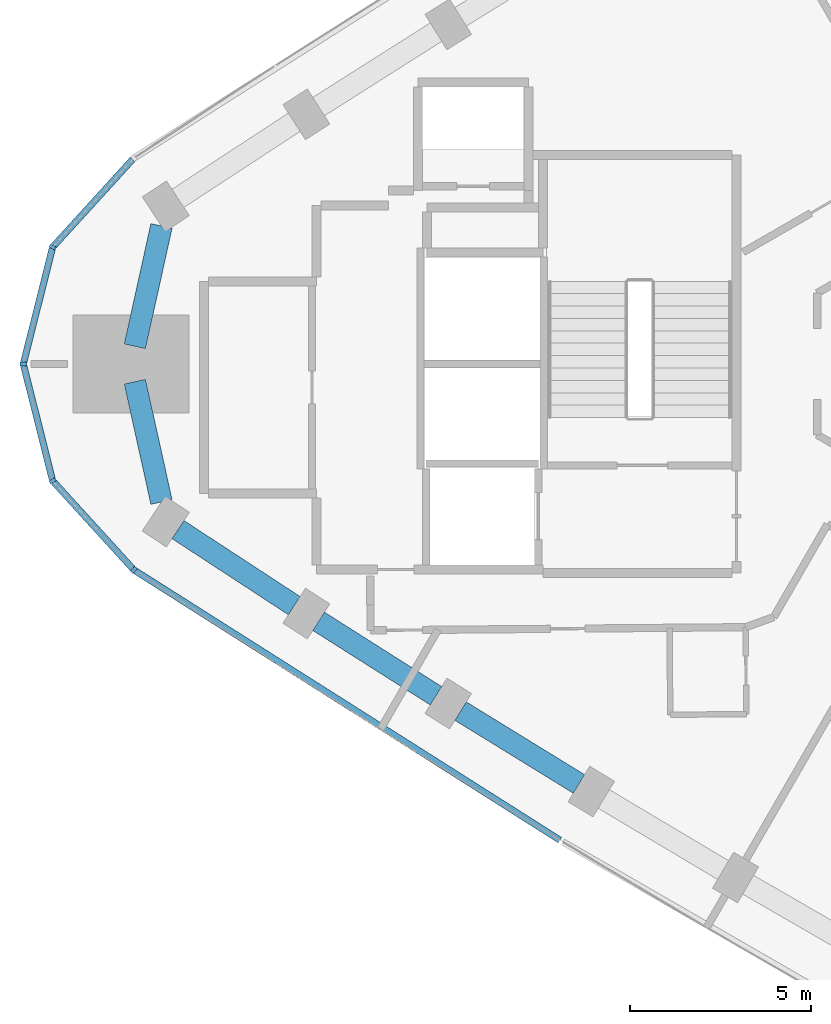
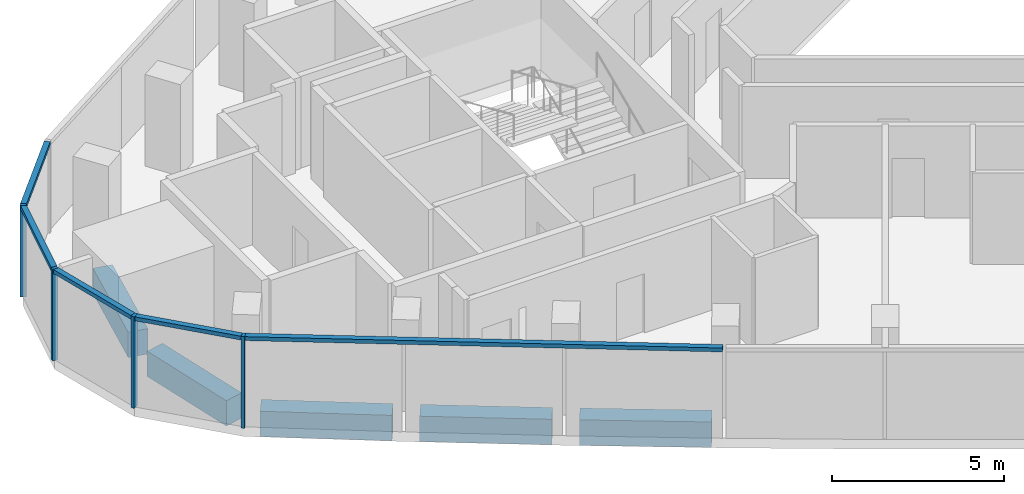
# One storey, part 2 of 12: 9 members, 5 beams, 2 elements without a shape of their own.
"""IFC4 building model written with IfcOpenShell, lengths in metres."""

from ifc_helpers import new_model, si_unit, direction, frame, origin, origin_2d, place, context, subcontext, project, spatial, rectangle, extrude, material, material_profile, profile_set, type_object, element, aggregate, save


model = new_model("IFC4")

# Units and contexts
model_context = context("Model", 3, precision=1e-05, world=origin(), true_north=direction((0.0, 1.0)))
body_context = subcontext(model_context, "Body", "Model", "MODEL_VIEW")
ifc_project = project(units=[si_unit("LENGTHUNIT", "METRE"), si_unit("AREAUNIT", "SQUARE_METRE"), si_unit("VOLUMEUNIT", "CUBIC_METRE"), si_unit("PLANEANGLEUNIT", "RADIAN"), si_unit("MASSUNIT", "GRAM", prefix="KILO")], contexts=[model_context])

# Site, building, storey
site_placement = place(None, origin())
site = spatial("IfcSite", under=ifc_project, at=site_placement, CompositionType="ELEMENT")
building_placement = place(site_placement, origin())
building = spatial("IfcBuilding", under=site, at=building_placement, Name="Tamra Quay Hotel Tower", CompositionType="ELEMENT")
storey_placement = place(building_placement, frame((0.0, 0.0, 179.199951171875)))
storey = spatial("IfcBuildingStorey", under=building, at=storey_placement, Name="L44", CompositionType="ELEMENT", Elevation=179.199951171875)

# Curtain wall, members
ifc_material_1 = material(Name="Aluminium 6063 anodised dark grey", Category="aluminium")
curtain_wall_type_1 = type_object("IfcCurtainWallType", Name="CW2 CURTAIN WALL", PredefinedType="NOTDEFINED", material=ifc_material_1)
curtain_wall_1_placement = place(storey_placement, origin())
curtain_wall_1 = element("IfcCurtainWall", 1, at=curtain_wall_1_placement, inside=storey, type_object=curtain_wall_type_1, Name="CW2 north-west face L44", PredefinedType="NOTDEFINED")
ifc_material_profile_1 = material_profile(ifc_material_1, rectangle(XDim=0.179931640625, YDim=0.10009765625, at=origin_2d()), Name="MULLION 100X180")
ifc_profile_set_1 = profile_set([ifc_material_profile_1], Name="Aluminium 6063 anodised dark grey")
member_type_1 = type_object("IfcMemberType", Name="MULLION CW2 Z4", PredefinedType="MULLION", material=ifc_profile_set_1)
member_1_placement = place(storey_placement, frame((-29.7216796875, 3.227294921875, 0.0), z_axis=(0.0, 0.0, 1.0), x_axis=(-0.881097509676, 0.472934645002, 0.0)))
member_1 = element("IfcMember", 2, at=member_1_placement, type_object=member_type_1, Name="CW2 mullion L44.NW.11", PredefinedType="MULLION", context=body_context, shape_type="SweptSolid", body=[
    extrude(rectangle(XDim=0.179931640625, YDim=0.10009765625, at=origin_2d()), origin(), (0.0, 0.0, 1.0), 3.25),
])
member_2_placement = place(storey_placement, frame((-30.532958984375, 0.0, 0.0), z_axis=(0.0, 0.0, 1.0), x_axis=(-1.0, 0.0, 0.0)))
member_2 = element("IfcMember", 3, at=member_2_placement, type_object=member_type_1, Name="CW2 mullion L44.NW.12", PredefinedType="MULLION", context=body_context, shape_type="SweptSolid", body=[
    extrude(rectangle(XDim=0.179931640625, YDim=0.10009765625, at=origin_2d()), origin(), (0.0, 0.0, 1.0), 3.25),
])
member_3_placement = place(storey_placement, frame((-29.7216796875, -3.227294921875, 0.0), z_axis=(0.0, 0.0, 1.0), x_axis=(-0.881097509676, -0.472934645002, 0.0)))
member_3 = element("IfcMember", 4, at=member_3_placement, type_object=member_type_1, Name="CW2 mullion L44.NW.13", PredefinedType="MULLION", context=body_context, shape_type="SweptSolid", body=[
    extrude(rectangle(XDim=0.179931640625, YDim=0.10009765625, at=origin_2d()), origin(), (0.0, 0.0, 1.0), 3.25),
])

# Curtain wall, member
curtain_wall_type_2 = type_object("IfcCurtainWallType", Name="CW3 CURTAIN WALL", PredefinedType="NOTDEFINED", material=ifc_material_1)
curtain_wall_2_placement = place(storey_placement, origin())
curtain_wall_2 = element("IfcCurtainWall", 5, at=curtain_wall_2_placement, inside=storey, type_object=curtain_wall_type_2, Name="CW3 south-west face L44", PredefinedType="NOTDEFINED")
ifc_material_profile_2 = material_profile(ifc_material_1, rectangle(XDim=0.179931640625, YDim=0.10009765625, at=origin_2d()), Name="MULLION 100X180")
ifc_profile_set_2 = profile_set([ifc_material_profile_2], Name="Aluminium 6063 anodised dark grey")
member_type_2 = type_object("IfcMemberType", Name="MULLION CW3 Z4", PredefinedType="MULLION", material=ifc_profile_set_2)
member_4_placement = place(storey_placement, frame((-27.48046875, -5.687255859375, 0.0), z_axis=(0.0, 0.0, 1.0), x_axis=(-0.648381346761, -0.7613157224, 0.0)))
member_4 = element("IfcMember", 6, at=member_4_placement, type_object=member_type_2, Name="CW3 mullion L44.SW.1", PredefinedType="MULLION", context=body_context, shape_type="SweptSolid", body=[
    extrude(rectangle(XDim=0.179931640625, YDim=0.10009765625, at=origin_2d()), origin(), (0.0, 0.0, 1.0), 3.25),
])

# Beams
ifc_material_2 = material(Name="Concrete M60", Category="concrete")
ifc_material_profile_3 = material_profile(ifc_material_2, rectangle(XDim=0.60009765625, YDim=0.89990234375, at=origin_2d()), Name="SPANDREL BEAM RC 600x900")
ifc_profile_set_3 = profile_set([ifc_material_profile_3], Name="Concrete M60")
beam_type = type_object("IfcBeamType", Name="SPANDREL BEAM RC 600x900", PredefinedType="SPANDREL", material=ifc_profile_set_3)
for number, where, z_axis, x_axis, name in (
    (7, (-26.716552734375, 3.811767578125, -0.800048828125), (-0.215798858353, -0.976437838643, 0.0), (0.976437838643, -0.215798858353, 0.0), "BM-SP4-020-L44"),
    (8, (-27.451171875, -0.48779296875, -0.800048828125), (0.215798858353, -0.976437838643, 0.0), (0.976437838643, 0.215798858353, 0.0), "BM-SP4-021-L44"),
):
    element("IfcBeam", number, at=place(storey_placement, frame(where, z_axis=z_axis, x_axis=x_axis)), inside=storey, type_object=beam_type, Name=name, PredefinedType="SPANDREL", context=body_context, shape_type="SweptSolid", body=[
        extrude(rectangle(XDim=0.60009765625, YDim=0.89990234375, at=origin_2d()), origin(), (0.0, 0.0, 1.0), 3.404296875),
    ])
for number, where, z_axis, x_axis, name in (
    (9, (-26.26171875, -4.573486328125, -0.800048828125), (0.836969613974, -0.547249362983, 0.0), (0.547249362983, 0.836969613974, 0.0), "BM-SP4-022-L44"),
    (10, (-22.377197265625, -7.106689453125, -0.800048828125), (0.844469978785, -0.535602889211, 0.0), (0.535602889211, 0.844469978785, 0.0), "BM-SP4-023-L44"),
):
    element("IfcBeam", number, at=place(storey_placement, frame(where, z_axis=z_axis, x_axis=x_axis)), inside=storey, type_object=beam_type, Name=name, PredefinedType="SPANDREL", context=body_context, shape_type="SweptSolid", body=[
        extrude(rectangle(XDim=0.60009765625, YDim=0.89990234375, at=origin_2d()), origin(), (0.0, 0.0, 1.0), 3.837646484375),
    ])
beam_placement = place(storey_placement, frame((-18.4580078125, -9.585693359375, -0.800048828125), z_axis=(0.851817714835, -0.523838315411, 0.0), x_axis=(0.523838315411, 0.851817714835, 0.0)))
element("IfcBeam", 11, at=beam_placement, inside=storey, type_object=beam_type, Name="BM-SP4-024-L44", PredefinedType="SPANDREL", context=body_context, shape_type="SweptSolid", body=[
    extrude(rectangle(XDim=0.60009765625, YDim=0.89990234375, at=origin_2d()), origin(), (0.0, 0.0, 1.0), 3.837890625),
])

# Member
ifc_material_profile_4 = material_profile(ifc_material_1, rectangle(XDim=0.179931640625, YDim=0.139892578125, at=origin_2d()), Name="TRANSOM 180X140")
ifc_profile_set_4 = profile_set([ifc_material_profile_4], Name="Aluminium 6063 anodised dark grey")
member_type_3 = type_object("IfcMemberType", Name="TRANSOM CW2 Z4", PredefinedType="USERDEFINED", material=ifc_profile_set_4)
member_5_placement = place(storey_placement, frame((-27.513916015625, 5.650146484375, 3.179931640625), z_axis=(-0.673519383869, -0.739169560759, 0.0), x_axis=(0.739169560759, -0.673519383869, 0.0)))
member_5 = element("IfcMember", 12, at=member_5_placement, type_object=member_type_3, Name="CW2 transom L44.NW.10", ObjectType="TRANSOM", PredefinedType="USERDEFINED", context=body_context, shape_type="SweptSolid", body=[
    extrude(rectangle(XDim=0.179931640625, YDim=0.139892578125, at=origin_2d()), origin(), (0.0, 0.0, 1.0), 3.22802734375),
])

member_6_placement = place(storey_placement, frame((-29.73388671875, 3.1787109375, 3.179931640625), z_axis=(-0.243799111264, -0.969825754116, 0.0), x_axis=(0.969825754116, -0.243799111264, 0.0)))
member_6 = element("IfcMember", 13, at=member_6_placement, type_object=member_type_3, Name="CW2 transom L44.NW.11", ObjectType="TRANSOM", PredefinedType="USERDEFINED", context=body_context, shape_type="SweptSolid", body=[
    extrude(rectangle(XDim=0.179931640625, YDim=0.139892578125, at=origin_2d()), origin(), (0.0, 0.0, 1.0), 3.2275390625),
])

member_7_placement = place(storey_placement, frame((-30.520751953125, -0.048583984375, 3.179931640625), z_axis=(0.243799111264, -0.969825754116, 0.0), x_axis=(0.969825754116, 0.243799111264, 0.0)))
member_7 = element("IfcMember", 14, at=member_7_placement, type_object=member_type_3, Name="CW2 transom L44.NW.12", ObjectType="TRANSOM", PredefinedType="USERDEFINED", context=body_context, shape_type="SweptSolid", body=[
    extrude(rectangle(XDim=0.179931640625, YDim=0.139892578125, at=origin_2d()), origin(), (0.0, 0.0, 1.0), 3.2275390625),
])

member_8_placement = place(storey_placement, frame((-29.68798828125, -3.26416015625, 3.179931640625), z_axis=(0.673519383869, -0.739169560759, 0.0), x_axis=(0.739169560759, 0.673519383869, 0.0)))
member_8 = element("IfcMember", 15, at=member_8_placement, type_object=member_type_3, Name="CW2 transom L44.NW.13", ObjectType="TRANSOM", PredefinedType="USERDEFINED", context=body_context, shape_type="SweptSolid", body=[
    extrude(rectangle(XDim=0.179931640625, YDim=0.139892578125, at=origin_2d()), origin(), (0.0, 0.0, 1.0), 3.22802734375),
])

aggregate(curtain_wall_1, [member_5, member_1, member_6, member_2, member_7, member_3, member_8])

ifc_material_profile_5 = material_profile(ifc_material_1, rectangle(XDim=0.179931640625, YDim=0.139892578125, at=origin_2d()), Name="TRANSOM 180X140")
ifc_profile_set_5 = profile_set([ifc_material_profile_5], Name="Aluminium 6063 anodised dark grey")
member_type_4 = type_object("IfcMemberType", Name="TRANSOM CW3 Z4", PredefinedType="USERDEFINED", material=ifc_profile_set_5)
member_9_placement = place(storey_placement, frame((-27.4384765625, -5.714599609375, 3.179931640625), z_axis=(0.844484125962, -0.535580583105, 0.0), x_axis=(0.535580583105, 0.844484125962, 0.0)))
member_9 = element("IfcMember", 16, at=member_9_placement, type_object=member_type_4, Name="CW3 transom L44.SW.1", ObjectType="TRANSOM", PredefinedType="USERDEFINED", context=body_context, shape_type="SweptSolid", body=[
    extrude(rectangle(XDim=0.179931640625, YDim=0.139892578125, at=origin_2d()), origin(), (0.0, 0.0, 1.0), 13.877685546875),
])

aggregate(curtain_wall_2, [member_4, member_9])

save(model, "model.ifc")
